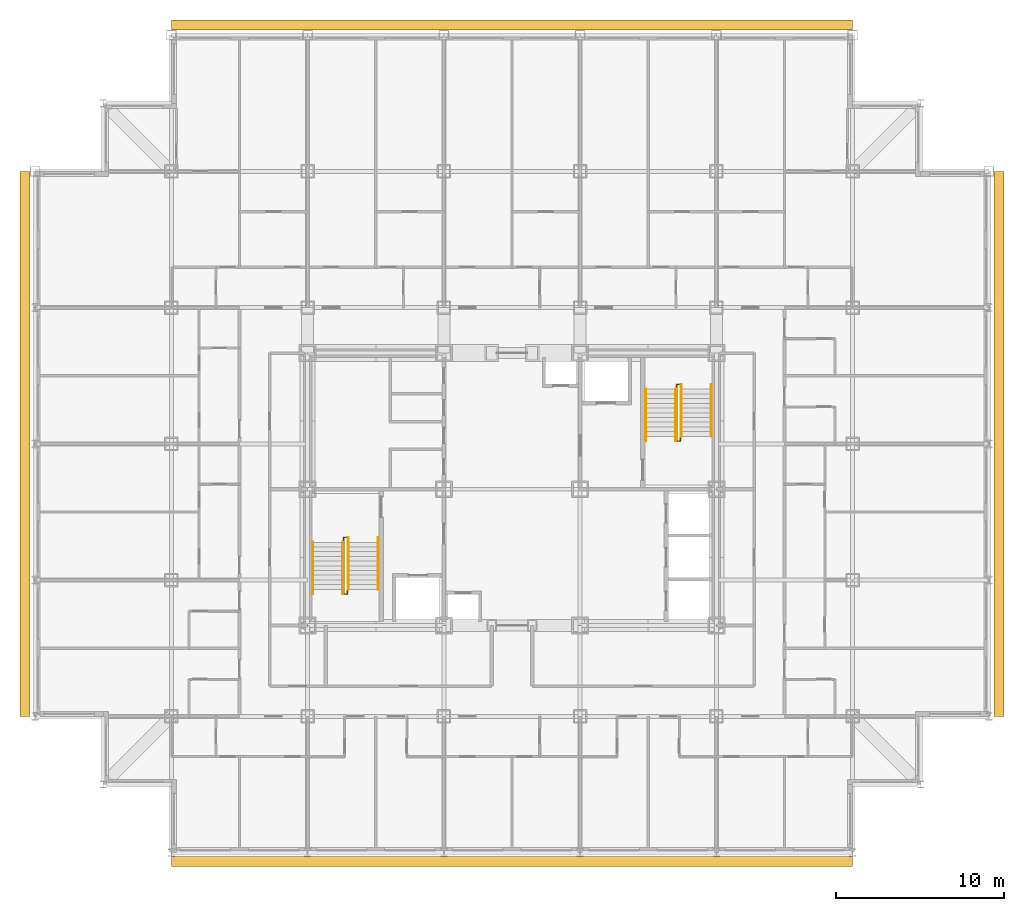
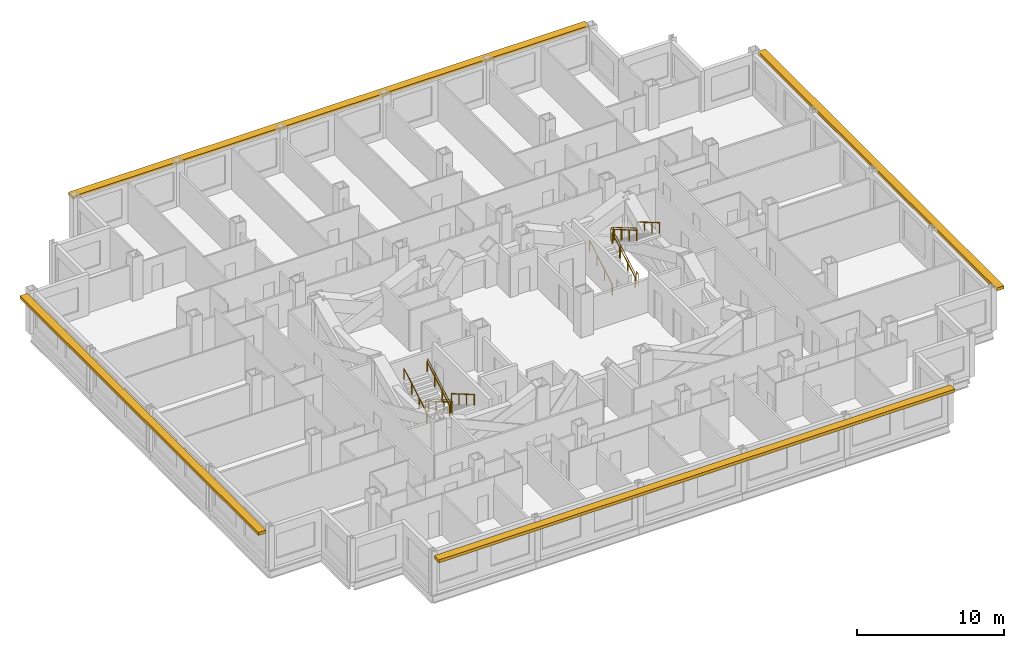
# One storey, part 12 of 12: 10 railings, 4 shading devices.
"""IFC4 building model written with IfcOpenShell, lengths in metres."""

from ifc_helpers import new_model, si_unit, direction, frame, origin, origin_2d, place, context, subcontext, project, spatial, rectangle, circle, extrude, material, type_object, element, save


model = new_model("IFC4")

# Units and contexts
model_context = context("Model", 3, precision=1e-05, world=origin(), true_north=direction((0.0, 1.0)))
body_context = subcontext(model_context, "Body", "Model", "MODEL_VIEW")
ifc_project = project(units=[si_unit("LENGTHUNIT", "METRE"), si_unit("AREAUNIT", "SQUARE_METRE"), si_unit("VOLUMEUNIT", "CUBIC_METRE"), si_unit("PLANEANGLEUNIT", "RADIAN"), si_unit("MASSUNIT", "GRAM", prefix="KILO")], contexts=[model_context])

# Site, building, storey
site_placement = place(None, origin())
site = spatial("IfcSite", under=ifc_project, at=site_placement, CompositionType="ELEMENT")
building_placement = place(site_placement, origin())
building = spatial("IfcBuilding", under=site, at=building_placement, Name="Kopane Lantern Tower", CompositionType="ELEMENT")
storey_placement = place(building_placement, frame((0.0, 0.0, 174.0)))
storey = spatial("IfcBuildingStorey", under=building, at=storey_placement, Name="L44", CompositionType="ELEMENT", Elevation=174.0)

# Railings
ifc_material_1 = material(Name="Steel", Category="steel")
railing_type_1 = type_object("IfcRailingType", Name="STAIR GUARD 1100", PredefinedType="GUARDRAIL", material=ifc_material_1)
railing_1_placement = place(storey_placement, frame((18.35009765625, 29.25, 0.0)))
element("IfcRailing", 1, at=railing_1_placement, inside=storey, type_object=railing_type_1, Name="ST1 well guard L44", PredefinedType="GUARDRAIL", context=body_context, shape_type="SweptSolid", body=[
    extrude(circle(Radius=0.02392578125, at=origin_2d()), frame((0.0, 0.0, 1.076171875), z_axis=(0.0, 1.0, 0.0), x_axis=(-1.0, 0.0, 0.0)), (0.0, 0.0, 1.0), 0.280029296875),
    extrude(circle(Radius=0.02392578125, at=origin_2d()), frame((0.0, 0.280029296875, 1.076171875), z_axis=(1.0, 0.0, 0.0), x_axis=(0.0, 1.0, 0.0)), (0.0, 0.0, 1.0), 0.199951171875),
    extrude(circle(Radius=0.02392578125, at=origin_2d()), frame((0.199951171875, 0.280029296875, 1.076171875), z_axis=(0.0, -0.863371556955, 0.504568681787), x_axis=(1.0, 0.0, 0.0)), (0.0, 0.0, 1.0), 3.5673828125),
    extrude(circle(Radius=0.02392578125, at=origin_2d()), frame((0.199951171875, -2.800048828125, 2.8759765625), z_axis=(0.0, -1.0, 0.0), x_axis=(1.0, 0.0, 0.0)), (0.0, 0.0, 1.0), 0.280029296875),
    extrude(circle(Radius=0.02392578125, at=origin_2d()), frame((0.199951171875, -3.080078125, 2.8759765625), z_axis=(-1.0, 0.0, 0.0), x_axis=(0.0, -1.0, 0.0)), (0.0, 0.0, 1.0), 0.199951171875),
    extrude(circle(Radius=0.02392578125, at=origin_2d()), frame((0.0, -3.080078125, 2.8759765625), z_axis=(0.0, 0.863371556955, 0.504568681787), x_axis=(-1.0, 0.0, 0.0)), (0.0, 0.0, 1.0), 3.5673828125),
    extrude(circle(Radius=0.02099609375, at=origin_2d()), origin(), (0.0, 0.0, 1.0), 1.052001953125),
    extrude(circle(Radius=0.02099609375, at=origin_2d()), frame((0.0, 0.280029296875, 0.0)), (0.0, 0.0, 1.0), 1.052001953125),
    extrude(circle(Radius=0.02099609375, at=origin_2d()), frame((0.199951171875, 0.280029296875, 0.0)), (0.0, 0.0, 1.0), 1.052001953125),
    extrude(circle(Radius=0.02099609375, at=origin_2d()), frame((0.199951171875, -0.74658203125, 0.60009765625)), (0.0, 0.0, 1.0), 1.052001953125),
    extrude(circle(Radius=0.02099609375, at=origin_2d()), frame((0.199951171875, -1.7734375, 1.199951171875)), (0.0, 0.0, 1.0), 1.052001953125),
    extrude(circle(Radius=0.02099609375, at=origin_2d()), frame((0.199951171875, -2.800048828125, 1.800048828125)), (0.0, 0.0, 1.0), 1.052001953125),
    extrude(circle(Radius=0.02099609375, at=origin_2d()), frame((0.199951171875, -3.080078125, 1.800048828125)), (0.0, 0.0, 1.0), 1.052001953125),
    extrude(circle(Radius=0.02099609375, at=origin_2d()), frame((0.0, -3.080078125, 1.800048828125)), (0.0, 0.0, 1.0), 1.052001953125),
    extrude(circle(Radius=0.02099609375, at=origin_2d()), frame((0.0, -2.053466796875, 2.400146484375)), (0.0, 0.0, 1.0), 1.052001953125),
    extrude(circle(Radius=0.02099609375, at=origin_2d()), frame((0.0, -1.026611328125, 3.0)), (0.0, 0.0, 1.0), 1.052001953125),
    extrude(circle(Radius=0.02099609375, at=origin_2d()), frame((0.0, 0.0, 3.60009765625)), (0.0, 0.0, 1.0), 1.052001953125),
])
railing_2_placement = place(storey_placement, frame((38.35009765625, 35.550048828125, 0.0)))
element("IfcRailing", 2, at=railing_2_placement, inside=storey, type_object=railing_type_1, Name="ST2 well guard L44", PredefinedType="GUARDRAIL", context=body_context, shape_type="SweptSolid", body=[
    extrude(circle(Radius=0.02392578125, at=origin_2d()), frame((0.0, 0.0, 1.076171875), z_axis=(0.0, -1.0, 0.0), x_axis=(1.0, 0.0, 0.0)), (0.0, 0.0, 1.0), 0.280029296875),
    extrude(circle(Radius=0.02392578125, at=origin_2d()), frame((0.0, -0.280029296875, 1.076171875), z_axis=(-1.0, 0.0, 0.0), x_axis=(0.0, -1.0, 0.0)), (0.0, 0.0, 1.0), 0.2001953125),
    extrude(circle(Radius=0.02392578125, at=origin_2d()), frame((-0.2001953125, -0.280029296875, 1.076171875), z_axis=(0.0, 0.863371556955, 0.504568681787), x_axis=(-1.0, 0.0, 0.0)), (0.0, 0.0, 1.0), 3.5673828125),
    extrude(circle(Radius=0.02392578125, at=origin_2d()), frame((-0.2001953125, 2.800048828125, 2.8759765625), z_axis=(0.0, 1.0, 0.0), x_axis=(-1.0, 0.0, 0.0)), (0.0, 0.0, 1.0), 0.27978515625),
    extrude(circle(Radius=0.02392578125, at=origin_2d()), frame((-0.2001953125, 3.079833984375, 2.8759765625), z_axis=(1.0, 0.0, 0.0), x_axis=(0.0, 1.0, 0.0)), (0.0, 0.0, 1.0), 0.2001953125),
    extrude(circle(Radius=0.02392578125, at=origin_2d()), frame((0.0, 3.079833984375, 2.8759765625), z_axis=(0.0, -0.863354132664, 0.504598495452), x_axis=(1.0, 0.0, 0.0)), (0.0, 0.0, 1.0), 3.5673828125),
    extrude(circle(Radius=0.02099609375, at=origin_2d()), origin(), (0.0, 0.0, 1.0), 1.052001953125),
    extrude(circle(Radius=0.02099609375, at=origin_2d()), frame((0.0, -0.280029296875, 0.0)), (0.0, 0.0, 1.0), 1.052001953125),
    extrude(circle(Radius=0.02099609375, at=origin_2d()), frame((-0.2001953125, -0.280029296875, 0.0)), (0.0, 0.0, 1.0), 1.052001953125),
    extrude(circle(Radius=0.02099609375, at=origin_2d()), frame((-0.2001953125, 0.74658203125, 0.60009765625)), (0.0, 0.0, 1.0), 1.052001953125),
    extrude(circle(Radius=0.02099609375, at=origin_2d()), frame((-0.2001953125, 1.7734375, 1.199951171875)), (0.0, 0.0, 1.0), 1.052001953125),
    extrude(circle(Radius=0.02099609375, at=origin_2d()), frame((-0.2001953125, 2.800048828125, 1.800048828125)), (0.0, 0.0, 1.0), 1.052001953125),
    extrude(circle(Radius=0.02099609375, at=origin_2d()), frame((-0.2001953125, 3.079833984375, 1.800048828125)), (0.0, 0.0, 1.0), 1.052001953125),
    extrude(circle(Radius=0.02099609375, at=origin_2d()), frame((0.0, 3.079833984375, 1.800048828125)), (0.0, 0.0, 1.0), 1.052001953125),
    extrude(circle(Radius=0.02099609375, at=origin_2d()), frame((0.0, 2.05322265625, 2.400146484375)), (0.0, 0.0, 1.0), 1.052001953125),
    extrude(circle(Radius=0.02099609375, at=origin_2d()), frame((0.0, 1.026611328125, 3.0)), (0.0, 0.0, 1.0), 1.052001953125),
    extrude(circle(Radius=0.02099609375, at=origin_2d()), frame((0.0, 0.0, 3.60009765625)), (0.0, 0.0, 1.0), 1.052001953125),
])
ifc_material_2 = material(Name="Steel", Category="steel")
railing_type_2 = type_object("IfcRailingType", Name="STAIR HANDRAIL 900", PredefinedType="HANDRAIL", material=ifc_material_2)
for number, where, name in (
    (3, (20.389892578125, 29.530029296875, 0.0), "ST1 handrail L44 flight 1"),
    (4, (18.610107421875, 29.530029296875, 0.0), "ST1 handrail L44 flight 1"),
):
    element("IfcRailing", number, at=place(storey_placement, frame(where)), inside=storey, type_object=railing_type_2, Name=name, PredefinedType="HANDRAIL", context=body_context, shape_type="SweptSolid", body=[
        extrude(circle(Radius=0.02392578125, at=origin_2d()), frame((0.0, 0.0, 0.8759765625), z_axis=(0.0, -0.863371556955, 0.504568681787), x_axis=(1.0, 0.0, 0.0)), (0.0, 0.0, 1.0), 3.5673828125),
        extrude(circle(Radius=0.02099609375, at=origin_2d()), origin(), (0.0, 0.0, 1.0), 0.851806640625),
        extrude(circle(Radius=0.02099609375, at=origin_2d()), frame((0.0, -1.026611328125, 0.60009765625)), (0.0, 0.0, 1.0), 0.851806640625),
        extrude(circle(Radius=0.02099609375, at=origin_2d()), frame((0.0, -2.053466796875, 1.199951171875)), (0.0, 0.0, 1.0), 0.851806640625),
        extrude(circle(Radius=0.02099609375, at=origin_2d()), frame((0.0, -3.080078125, 1.800048828125)), (0.0, 0.0, 1.0), 0.851806640625),
    ])
for number, where, name in (
    (5, (16.510009765625, 26.169921875, 1.800048828125), "ST1 handrail L44 flight 2"),
    (6, (18.2900390625, 26.169921875, 1.800048828125), "ST1 handrail L44 flight 2"),
    (7, (36.31005859375, 35.27001953125, 0.0), "ST2 handrail L44 flight 1"),
    (8, (38.090087890625, 35.27001953125, 0.0), "ST2 handrail L44 flight 1"),
):
    element("IfcRailing", number, at=place(storey_placement, frame(where)), inside=storey, type_object=railing_type_2, Name=name, PredefinedType="HANDRAIL", context=body_context, shape_type="SweptSolid", body=[
        extrude(circle(Radius=0.02392578125, at=origin_2d()), frame((0.0, 0.0, 0.8759765625), z_axis=(0.0, 0.863371556955, 0.504568681787), x_axis=(-1.0, 0.0, 0.0)), (0.0, 0.0, 1.0), 3.5673828125),
        extrude(circle(Radius=0.02099609375, at=origin_2d()), origin(), (0.0, 0.0, 1.0), 0.851806640625),
        extrude(circle(Radius=0.02099609375, at=origin_2d()), frame((0.0, 1.026611328125, 0.60009765625)), (0.0, 0.0, 1.0), 0.851806640625),
        extrude(circle(Radius=0.02099609375, at=origin_2d()), frame((0.0, 2.053466796875, 1.199951171875)), (0.0, 0.0, 1.0), 0.851806640625),
        extrude(circle(Radius=0.02099609375, at=origin_2d()), frame((0.0, 3.080078125, 1.800048828125)), (0.0, 0.0, 1.0), 0.851806640625),
    ])
for number, where, name in (
    (9, (40.18994140625, 38.6298828125, 1.800048828125), "ST2 handrail L44 flight 2"),
    (10, (38.409912109375, 38.6298828125, 1.800048828125), "ST2 handrail L44 flight 2"),
):
    element("IfcRailing", number, at=place(storey_placement, frame(where)), inside=storey, type_object=railing_type_2, Name=name, PredefinedType="HANDRAIL", context=body_context, shape_type="SweptSolid", body=[
        extrude(circle(Radius=0.02392578125, at=origin_2d()), frame((0.0, 0.0, 0.8759765625), z_axis=(0.0, -0.863354132664, 0.504598495452), x_axis=(1.0, 0.0, 0.0)), (0.0, 0.0, 1.0), 3.5673828125),
        extrude(circle(Radius=0.02099609375, at=origin_2d()), origin(), (0.0, 0.0, 1.0), 0.851806640625),
        extrude(circle(Radius=0.02099609375, at=origin_2d()), frame((0.0, -1.026611328125, 0.60009765625)), (0.0, 0.0, 1.0), 0.851806640625),
        extrude(circle(Radius=0.02099609375, at=origin_2d()), frame((0.0, -2.05322265625, 1.199951171875)), (0.0, 0.0, 1.0), 0.851806640625),
        extrude(circle(Radius=0.02099609375, at=origin_2d()), frame((0.0, -3.079833984375, 1.800048828125)), (0.0, 0.0, 1.0), 0.851806640625),
    ])

# Shading devices
ifc_material_3 = material(Name="Terracotta rainscreen on light steel framing", Category="masonry")
shading_device_type = type_object("IfcShadingDeviceType", Name="SUNSHADE BAND SB1 600 TERRACOTTA", PredefinedType="USERDEFINED", material=ifc_material_3)
shading_device_1_placement = place(storey_placement, frame((28.35009765625, 10.2626953125, 3.0), z_axis=(0.0, 0.0, 1.0), x_axis=(1.0, 0.0, 0.0)))
element("IfcShadingDevice", 11, at=shading_device_1_placement, inside=storey, type_object=shading_device_type, Name="Sunshade band S L44", ObjectType="SUNSHADE BAND", PredefinedType="USERDEFINED", context=body_context, shape_type="SweptSolid", body=[
    extrude(rectangle(XDim=40.5, YDim=0.60009765625, at=origin_2d()), origin(), (0.0, 0.0, 1.0), 0.25),
])
shading_device_2_placement = place(storey_placement, frame((57.300048828125, 35.10009765625, 3.0), z_axis=(0.0, 0.0, 1.0), x_axis=(0.0, 1.0, 0.0)))
element("IfcShadingDevice", 12, at=shading_device_2_placement, inside=storey, type_object=shading_device_type, Name="Sunshade band E L44", ObjectType="SUNSHADE BAND", PredefinedType="USERDEFINED", context=body_context, shape_type="SweptSolid", body=[
    extrude(rectangle(XDim=32.39990234375, YDim=0.60009765625, at=origin_2d()), origin(), (0.0, 0.0, 1.0), 0.25),
])
shading_device_3_placement = place(storey_placement, frame((28.35009765625, 60.0, 3.0), z_axis=(0.0, 0.0, 1.0), x_axis=(-1.0, 0.0, 0.0)))
element("IfcShadingDevice", 13, at=shading_device_3_placement, inside=storey, type_object=shading_device_type, Name="Sunshade band N L44", ObjectType="SUNSHADE BAND", PredefinedType="USERDEFINED", context=body_context, shape_type="SweptSolid", body=[
    extrude(rectangle(XDim=40.5, YDim=0.60009765625, at=origin_2d()), origin(), (0.0, 0.0, 1.0), 0.25),
])
shading_device_4_placement = place(storey_placement, frame((-0.60009765625, 35.10009765625, 3.0), z_axis=(0.0, 0.0, 1.0), x_axis=(0.0, -1.0, 0.0)))
element("IfcShadingDevice", 14, at=shading_device_4_placement, inside=storey, type_object=shading_device_type, Name="Sunshade band W L44", ObjectType="SUNSHADE BAND", PredefinedType="USERDEFINED", context=body_context, shape_type="SweptSolid", body=[
    extrude(rectangle(XDim=32.39990234375, YDim=0.60009765625, at=origin_2d()), origin(), (0.0, 0.0, 1.0), 0.25),
])

save(model, "model.ifc")
